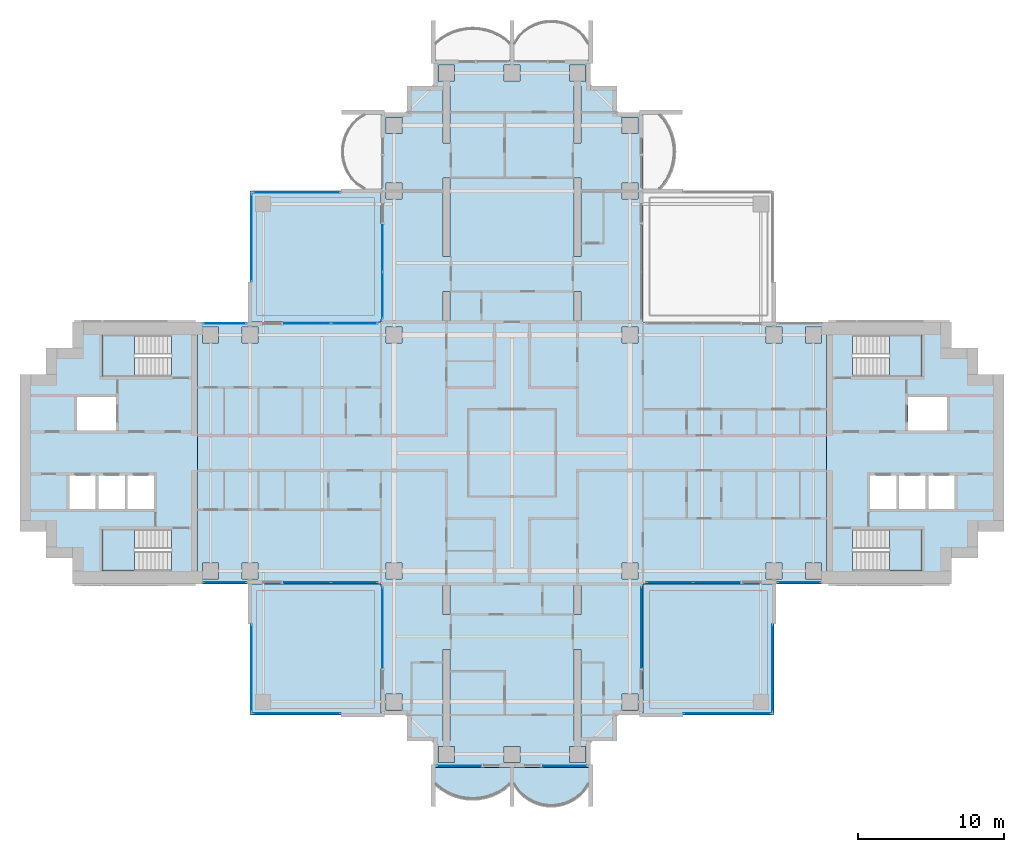
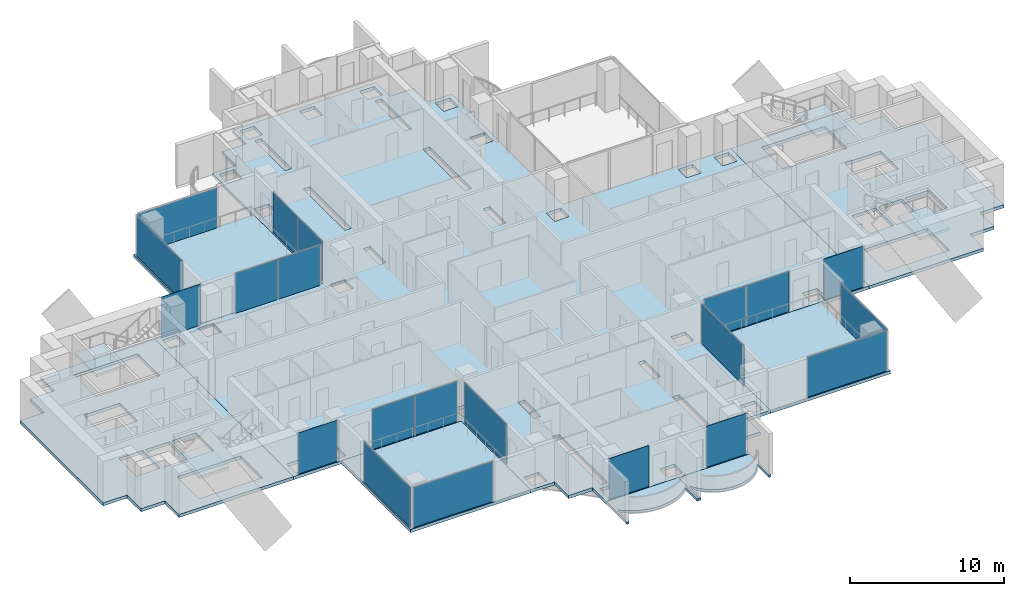
# One storey, part 7 of 19: 21 plates, 12 slabs, 21 elements without a shape of their own.
"""IFC4 building model written with IfcOpenShell, lengths in metres."""

from ifc_helpers import new_model, si_unit, direction, frame, origin, origin_2d, place, context, subcontext, project, spatial, polyline, rectangle, outline, extrude, material, layer, layer_set, type_object, element, aggregate, save


model = new_model("IFC4")

# Units and contexts
model_context = context("Model", 3, precision=1e-05, world=origin(), true_north=direction((0.0, 1.0)))
body_context = subcontext(model_context, "Body", "Model", "MODEL_VIEW")
ifc_project = project(units=[si_unit("LENGTHUNIT", "METRE"), si_unit("AREAUNIT", "SQUARE_METRE"), si_unit("VOLUMEUNIT", "CUBIC_METRE"), si_unit("PLANEANGLEUNIT", "RADIAN"), si_unit("MASSUNIT", "GRAM", prefix="KILO")], contexts=[model_context])

# Site, building, storey
site_placement = place(None, origin())
site = spatial("IfcSite", under=ifc_project, at=site_placement, CompositionType="ELEMENT")
building_placement = place(site_placement, origin())
building = spatial("IfcBuilding", under=site, at=building_placement, Name="Perihelion Cross Residences", CompositionType="ELEMENT")
storey_placement = place(building_placement, frame((0.0, 0.0, 137.39990234375)))
storey = spatial("IfcBuildingStorey", under=building, at=storey_placement, Name="L33", CompositionType="ELEMENT", Elevation=137.39990234375)

# Slabs
ifc_material_1 = material(Name="Concrete C40/50", Category="concrete")
ifc_layer_1 = layer(ifc_material_1, 0.199951171875)
ifc_layer_set_1 = layer_set([ifc_layer_1], Name="Balcony slab 200")
slab_type_1 = type_object("IfcSlabType", Name="Balcony slab 200", PredefinedType="FLOOR", material=ifc_layer_set_1)
slab_1_placement = place(storey_placement, frame((0.0, 0.0, -0.199951171875)))
element("IfcSlab", 1, at=slab_1_placement, inside=storey, type_object=slab_type_1, Name="Slab BK1 L33 south tip south bay 1 balcony", PredefinedType="FLOOR", context=body_context, shape_type="SweptSolid", body=[
    extrude(outline(polyline([(-5.39990234375, -21.60009765625), (0.0, -21.60009765625), (0.0, -24.300048828125), (-0.14990234375, -24.300048828125), (-0.14990234375, -22.800048828125), (-0.574951171875, -23.14013671875), (-1.0, -23.392578125), (-1.425048828125, -23.57666015625), (-1.85009765625, -23.702392578125), (-2.27490234375, -23.77587890625), (-2.699951171875, -23.800048828125), (-3.125, -23.77587890625), (-3.550048828125, -23.702392578125), (-3.97509765625, -23.57666015625), (-4.39990234375, -23.392578125), (-4.824951171875, -23.14013671875), (-5.25, -22.800048828125), (-5.25, -24.300048828125), (-5.39990234375, -24.300048828125), (-5.39990234375, -21.60009765625)])), origin(), (0.0, 0.0, 1.0), 0.199951171875),
])
slab_2_placement = place(storey_placement, frame((0.0, 0.0, -0.199951171875)))
element("IfcSlab", 2, at=slab_2_placement, inside=storey, type_object=slab_type_1, Name="Slab BK1 L33 south tip south bay 2 balcony", PredefinedType="FLOOR", context=body_context, shape_type="SweptSolid", body=[
    extrude(outline(polyline([(0.0, -21.60009765625), (5.39990234375, -21.60009765625), (5.39990234375, -24.300048828125), (5.25, -24.300048828125), (5.25, -22.800048828125), (4.909912109375, -23.27685546875), (4.570068359375, -23.60693359375), (4.22998046875, -23.84912109375), (3.889892578125, -24.027099609375), (3.550048828125, -24.1533203125), (3.2099609375, -24.234375), (2.8701171875, -24.274169921875), (2.530029296875, -24.274169921875), (2.18994140625, -24.234375), (1.85009765625, -24.1533203125), (1.510009765625, -24.027099609375), (1.169921875, -23.84912109375), (0.830078125, -23.60693359375), (0.489990234375, -23.27685546875), (0.14990234375, -22.800048828125), (0.14990234375, -24.300048828125), (0.0, -24.300048828125), (0.0, -21.60009765625)])), origin(), (0.0, 0.0, 1.0), 0.199951171875),
])

# Curtain wall, plates
ifc_material_2 = material(Name="Bronze anodised aluminium, tinted glazing", Category="aluminium")
curtain_wall_type_1 = type_object("IfcCurtainWallType", Name="CW1", PredefinedType="NOTDEFINED", material=ifc_material_2)
curtain_wall_1_placement = place(storey_placement, origin())
curtain_wall_1 = element("IfcCurtainWall", 3, at=curtain_wall_1_placement, inside=storey, type_object=curtain_wall_type_1, Name="Curtain wall CW1 L33 north side west bay 2", PredefinedType="NOTDEFINED")
ifc_material_3 = material(Name="Tinted laminated glass", Category="glass")
ifc_layer_2 = layer(ifc_material_3, 0.028076171875)
ifc_layer_set_2 = layer_set([ifc_layer_2], Name="CW1 panel")
plate_type_1 = type_object("IfcPlateType", Name="CW1 panel", PredefinedType="CURTAIN_PANEL", material=ifc_layer_set_2)
plate_1_placement = place(storey_placement, frame((-8.89990234375, 14.052490234375, 0.000244140625), z_axis=(0.0, 0.0, 1.0), x_axis=(0.0, -1.0, 0.0)))
plate_1 = element("IfcPlate", 4, at=plate_1_placement, type_object=plate_type_1, Name="CW1 panel 1", PredefinedType="CURTAIN_PANEL", context=body_context, shape_type="SweptSolid", body=[
    extrude(rectangle(XDim=3.195068359375, YDim=0.028076171875, at=origin_2d()), origin(), (0.0, 0.0, 1.0), 3.18994140625),
])
plate_2_placement = place(storey_placement, frame((-8.89990234375, 10.827392578125, 0.000244140625), z_axis=(0.0, 0.0, 1.0), x_axis=(0.0, -1.0, 0.0)))
plate_2 = element("IfcPlate", 5, at=plate_2_placement, type_object=plate_type_1, Name="CW1 panel 2", PredefinedType="CURTAIN_PANEL", context=body_context, shape_type="SweptSolid", body=[
    extrude(rectangle(XDim=3.135009765625, YDim=0.028076171875, at=origin_2d()), origin(), (0.0, 0.0, 1.0), 3.18994140625),
])
aggregate(curtain_wall_1, [plate_1, plate_2])

curtain_wall_2_placement = place(storey_placement, origin())
curtain_wall_2 = element("IfcCurtainWall", 6, at=curtain_wall_2_placement, inside=storey, type_object=curtain_wall_type_1, Name="Curtain wall CW1 L33 west side north bay 1", PredefinedType="NOTDEFINED")
plate_3_placement = place(storey_placement, frame((-10.827392578125, 8.89990234375, 0.000244140625), z_axis=(0.0, 0.0, 1.0), x_axis=(-1.0, 0.0, 0.0)))
plate_3 = element("IfcPlate", 7, at=plate_3_placement, type_object=plate_type_1, Name="CW1 panel 1", PredefinedType="CURTAIN_PANEL", context=body_context, shape_type="SweptSolid", body=[
    extrude(rectangle(XDim=3.135009765625, YDim=0.028076171875, at=origin_2d()), origin(), (0.0, 0.0, 1.0), 3.18994140625),
])
plate_4_placement = place(storey_placement, frame((-14.052490234375, 8.89990234375, 0.000244140625), z_axis=(0.0, 0.0, 1.0), x_axis=(-1.0, 0.0, 0.0)))
plate_4 = element("IfcPlate", 8, at=plate_4_placement, type_object=plate_type_1, Name="CW1 panel 2", PredefinedType="CURTAIN_PANEL", context=body_context, shape_type="SweptSolid", body=[
    extrude(rectangle(XDim=3.195068359375, YDim=0.028076171875, at=origin_2d()), origin(), (0.0, 0.0, 1.0), 3.18994140625),
])
aggregate(curtain_wall_2, [plate_3, plate_4])

# Curtain wall, plate
curtain_wall_3_placement = place(storey_placement, origin())
curtain_wall_3 = element("IfcCurtainWall", 9, at=curtain_wall_3_placement, inside=storey, type_object=curtain_wall_type_1, Name="Curtain wall CW1 L33 west side north bay 2", PredefinedType="NOTDEFINED")
plate_5_placement = place(storey_placement, frame((-19.72509765625, 8.89990234375, 0.0), z_axis=(0.0, 0.0, 1.0), x_axis=(-1.0, 0.0, 0.0)))
plate_5 = element("IfcPlate", 10, at=plate_5_placement, type_object=plate_type_1, Name="CW1 panel 1", PredefinedType="CURTAIN_PANEL", context=body_context, shape_type="SweptSolid", body=[
    extrude(rectangle(XDim=2.929931640625, YDim=0.028076171875, at=origin_2d()), origin(), (0.0, 0.0, 1.0), 3.25),
])
aggregate(curtain_wall_3, [plate_5])

curtain_wall_4_placement = place(storey_placement, origin())
curtain_wall_4 = element("IfcCurtainWall", 11, at=curtain_wall_4_placement, inside=storey, type_object=curtain_wall_type_1, Name="Curtain wall CW1 L33 west side south bay 1", PredefinedType="NOTDEFINED")
plate_6_placement = place(storey_placement, frame((-19.72509765625, -8.89990234375, 0.0), z_axis=(0.0, 0.0, 1.0), x_axis=(1.0, 0.0, 0.0)))
plate_6 = element("IfcPlate", 12, at=plate_6_placement, type_object=plate_type_1, Name="CW1 panel 1", PredefinedType="CURTAIN_PANEL", context=body_context, shape_type="SweptSolid", body=[
    extrude(rectangle(XDim=2.929931640625, YDim=0.028076171875, at=origin_2d()), origin(), (0.0, 0.0, 1.0), 3.25),
])
aggregate(curtain_wall_4, [plate_6])

# Curtain wall, plates
curtain_wall_5_placement = place(storey_placement, origin())
curtain_wall_5 = element("IfcCurtainWall", 13, at=curtain_wall_5_placement, inside=storey, type_object=curtain_wall_type_1, Name="Curtain wall CW1 L33 west side south bay 2", PredefinedType="NOTDEFINED")
plate_7_placement = place(storey_placement, frame((-14.052490234375, -8.89990234375, 0.000244140625), z_axis=(0.0, 0.0, 1.0), x_axis=(1.0, 0.0, 0.0)))
plate_7 = element("IfcPlate", 14, at=plate_7_placement, type_object=plate_type_1, Name="CW1 panel 1", PredefinedType="CURTAIN_PANEL", context=body_context, shape_type="SweptSolid", body=[
    extrude(rectangle(XDim=3.195068359375, YDim=0.028076171875, at=origin_2d()), origin(), (0.0, 0.0, 1.0), 3.18994140625),
])
plate_8_placement = place(storey_placement, frame((-10.827392578125, -8.89990234375, 0.000244140625), z_axis=(0.0, 0.0, 1.0), x_axis=(1.0, 0.0, 0.0)))
plate_8 = element("IfcPlate", 15, at=plate_8_placement, type_object=plate_type_1, Name="CW1 panel 2", PredefinedType="CURTAIN_PANEL", context=body_context, shape_type="SweptSolid", body=[
    extrude(rectangle(XDim=3.135009765625, YDim=0.028076171875, at=origin_2d()), origin(), (0.0, 0.0, 1.0), 3.18994140625),
])
aggregate(curtain_wall_5, [plate_7, plate_8])

# Curtain wall, plate
curtain_wall_6_placement = place(storey_placement, origin())
curtain_wall_6 = element("IfcCurtainWall", 16, at=curtain_wall_6_placement, inside=storey, type_object=curtain_wall_type_1, Name="Curtain wall CW1 L33 south side west bay 1", PredefinedType="NOTDEFINED")
plate_9_placement = place(storey_placement, frame((-8.89990234375, -12.0048828125, 0.000244140625), z_axis=(0.0, 0.0, 1.0), x_axis=(0.0, -1.0, 0.0)))
plate_9 = element("IfcPlate", 17, at=plate_9_placement, type_object=plate_type_1, Name="CW1 panel 1", PredefinedType="CURTAIN_PANEL", context=body_context, shape_type="SweptSolid", body=[
    extrude(rectangle(XDim=5.489990234375, YDim=0.028076171875, at=origin_2d()), origin(), (0.0, 0.0, 1.0), 3.18994140625),
])
aggregate(curtain_wall_6, [plate_9])

curtain_wall_7_placement = place(storey_placement, origin())
curtain_wall_7 = element("IfcCurtainWall", 18, at=curtain_wall_7_placement, inside=storey, type_object=curtain_wall_type_1, Name="Curtain wall CW1 L33 south tip south bay 1", PredefinedType="NOTDEFINED")
plate_10_placement = place(storey_placement, frame((-3.64501953125, -21.5, 0.0), z_axis=(0.0, 0.0, 1.0), x_axis=(1.0, 0.0, 0.0)))
plate_10 = element("IfcPlate", 19, at=plate_10_placement, type_object=plate_type_1, Name="CW1 panel 1", PredefinedType="CURTAIN_PANEL", context=body_context, shape_type="SweptSolid", body=[
    extrude(rectangle(XDim=2.989990234375, YDim=0.028076171875, at=origin_2d()), origin(), (0.0, 0.0, 1.0), 3.25),
])
aggregate(curtain_wall_7, [plate_10])

curtain_wall_8_placement = place(storey_placement, origin())
curtain_wall_8 = element("IfcCurtainWall", 20, at=curtain_wall_8_placement, inside=storey, type_object=curtain_wall_type_1, Name="Curtain wall CW1 L33 south tip south bay 2", PredefinedType="NOTDEFINED")
plate_11_placement = place(storey_placement, frame((3.64501953125, -21.5, 0.0), z_axis=(0.0, 0.0, 1.0), x_axis=(1.0, 0.0, 0.0)))
plate_11 = element("IfcPlate", 21, at=plate_11_placement, type_object=plate_type_1, Name="CW1 panel 1", PredefinedType="CURTAIN_PANEL", context=body_context, shape_type="SweptSolid", body=[
    extrude(rectangle(XDim=2.989990234375, YDim=0.028076171875, at=origin_2d()), origin(), (0.0, 0.0, 1.0), 3.25),
])
aggregate(curtain_wall_8, [plate_11])

curtain_wall_9_placement = place(storey_placement, origin())
curtain_wall_9 = element("IfcCurtainWall", 22, at=curtain_wall_9_placement, inside=storey, type_object=curtain_wall_type_1, Name="Curtain wall CW1 L33 south side east bay 1", PredefinedType="NOTDEFINED")
plate_12_placement = place(storey_placement, frame((8.89990234375, -12.0048828125, 0.000244140625), z_axis=(0.0, 0.0, 1.0), x_axis=(0.0, 1.0, 0.0)))
plate_12 = element("IfcPlate", 23, at=plate_12_placement, type_object=plate_type_1, Name="CW1 panel 1", PredefinedType="CURTAIN_PANEL", context=body_context, shape_type="SweptSolid", body=[
    extrude(rectangle(XDim=5.489990234375, YDim=0.028076171875, at=origin_2d()), origin(), (0.0, 0.0, 1.0), 3.18994140625),
])
aggregate(curtain_wall_9, [plate_12])

# Curtain wall, plates
curtain_wall_10_placement = place(storey_placement, origin())
curtain_wall_10 = element("IfcCurtainWall", 24, at=curtain_wall_10_placement, inside=storey, type_object=curtain_wall_type_1, Name="Curtain wall CW1 L33 east side south bay 1", PredefinedType="NOTDEFINED")
plate_13_placement = place(storey_placement, frame((10.827392578125, -8.89990234375, 0.000244140625), z_axis=(0.0, 0.0, 1.0), x_axis=(1.0, 0.0, 0.0)))
plate_13 = element("IfcPlate", 25, at=plate_13_placement, type_object=plate_type_1, Name="CW1 panel 1", PredefinedType="CURTAIN_PANEL", context=body_context, shape_type="SweptSolid", body=[
    extrude(rectangle(XDim=3.135009765625, YDim=0.028076171875, at=origin_2d()), origin(), (0.0, 0.0, 1.0), 3.18994140625),
])
plate_14_placement = place(storey_placement, frame((14.052490234375, -8.89990234375, 0.000244140625), z_axis=(0.0, 0.0, 1.0), x_axis=(1.0, 0.0, 0.0)))
plate_14 = element("IfcPlate", 26, at=plate_14_placement, type_object=plate_type_1, Name="CW1 panel 2", PredefinedType="CURTAIN_PANEL", context=body_context, shape_type="SweptSolid", body=[
    extrude(rectangle(XDim=3.195068359375, YDim=0.028076171875, at=origin_2d()), origin(), (0.0, 0.0, 1.0), 3.18994140625),
])
aggregate(curtain_wall_10, [plate_13, plate_14])

# Curtain wall, plate
curtain_wall_11_placement = place(storey_placement, origin())
curtain_wall_11 = element("IfcCurtainWall", 27, at=curtain_wall_11_placement, inside=storey, type_object=curtain_wall_type_1, Name="Curtain wall CW1 L33 east side south bay 2", PredefinedType="NOTDEFINED")
plate_15_placement = place(storey_placement, frame((19.72509765625, -8.89990234375, 0.0), z_axis=(0.0, 0.0, 1.0), x_axis=(1.0, 0.0, 0.0)))
plate_15 = element("IfcPlate", 28, at=plate_15_placement, type_object=plate_type_1, Name="CW1 panel 1", PredefinedType="CURTAIN_PANEL", context=body_context, shape_type="SweptSolid", body=[
    extrude(rectangle(XDim=2.929931640625, YDim=0.028076171875, at=origin_2d()), origin(), (0.0, 0.0, 1.0), 3.25),
])
aggregate(curtain_wall_11, [plate_15])

ifc_material_4 = material(Name="Bronze anodised aluminium, tinted glazing", Category="aluminium")
curtain_wall_type_2 = type_object("IfcCurtainWallType", Name="CW4", PredefinedType="NOTDEFINED", material=ifc_material_4)
curtain_wall_12_placement = place(storey_placement, origin())
curtain_wall_12 = element("IfcCurtainWall", 29, at=curtain_wall_12_placement, inside=storey, type_object=curtain_wall_type_2, Name="Curtain wall CW4 L33 pocket north-west 1 1", PredefinedType="NOTDEFINED")
ifc_material_5 = material(Name="Tinted laminated glass", Category="glass")
ifc_layer_3 = layer(ifc_material_5, 0.030029296875)
ifc_layer_set_3 = layer_set([ifc_layer_3], Name="CW4 panel")
plate_type_2 = type_object("IfcPlateType", Name="CW4 panel", PredefinedType="CURTAIN_PANEL", material=ifc_layer_set_3)
plate_16_placement = place(storey_placement, frame((-17.89990234375, 14.784912109375, 0.000244140625), z_axis=(0.0, 0.0, 1.0), x_axis=(0.0, 1.0, 0.0)))
plate_16 = element("IfcPlate", 30, at=plate_16_placement, type_object=plate_type_2, Name="CW4 panel 1", PredefinedType="CURTAIN_PANEL", context=body_context, shape_type="SweptSolid", body=[
    extrude(rectangle(XDim=5.969970703125, YDim=0.030029296875, at=origin_2d()), origin(), (0.0, 0.0, 1.0), 3.18994140625),
])
aggregate(curtain_wall_12, [plate_16])

curtain_wall_13_placement = place(storey_placement, origin())
curtain_wall_13 = element("IfcCurtainWall", 31, at=curtain_wall_13_placement, inside=storey, type_object=curtain_wall_type_2, Name="Curtain wall CW4 L33 pocket north-west 1 2", PredefinedType="NOTDEFINED")
plate_17_placement = place(storey_placement, frame((-14.784912109375, 17.89990234375, 0.000244140625), z_axis=(0.0, 0.0, 1.0), x_axis=(1.0, 0.0, 0.0)))
plate_17 = element("IfcPlate", 32, at=plate_17_placement, type_object=plate_type_2, Name="CW4 panel 1", PredefinedType="CURTAIN_PANEL", context=body_context, shape_type="SweptSolid", body=[
    extrude(rectangle(XDim=5.969970703125, YDim=0.030029296875, at=origin_2d()), origin(), (0.0, 0.0, 1.0), 3.18994140625),
])
aggregate(curtain_wall_13, [plate_17])

curtain_wall_14_placement = place(storey_placement, origin())
curtain_wall_14 = element("IfcCurtainWall", 33, at=curtain_wall_14_placement, inside=storey, type_object=curtain_wall_type_2, Name="Curtain wall CW4 L33 pocket south-east 1 1", PredefinedType="NOTDEFINED")
plate_18_placement = place(storey_placement, frame((17.89990234375, -14.784912109375, 0.000244140625), z_axis=(0.0, 0.0, 1.0), x_axis=(0.0, -1.0, 0.0)))
plate_18 = element("IfcPlate", 34, at=plate_18_placement, type_object=plate_type_2, Name="CW4 panel 1", PredefinedType="CURTAIN_PANEL", context=body_context, shape_type="SweptSolid", body=[
    extrude(rectangle(XDim=5.969970703125, YDim=0.030029296875, at=origin_2d()), origin(), (0.0, 0.0, 1.0), 3.18994140625),
])
aggregate(curtain_wall_14, [plate_18])

curtain_wall_15_placement = place(storey_placement, origin())
curtain_wall_15 = element("IfcCurtainWall", 35, at=curtain_wall_15_placement, inside=storey, type_object=curtain_wall_type_2, Name="Curtain wall CW4 L33 pocket south-east 1 2", PredefinedType="NOTDEFINED")
plate_19_placement = place(storey_placement, frame((14.784912109375, -17.89990234375, 0.000244140625), z_axis=(0.0, 0.0, 1.0), x_axis=(-1.0, 0.0, 0.0)))
plate_19 = element("IfcPlate", 36, at=plate_19_placement, type_object=plate_type_2, Name="CW4 panel 1", PredefinedType="CURTAIN_PANEL", context=body_context, shape_type="SweptSolid", body=[
    extrude(rectangle(XDim=5.969970703125, YDim=0.030029296875, at=origin_2d()), origin(), (0.0, 0.0, 1.0), 3.18994140625),
])
aggregate(curtain_wall_15, [plate_19])

curtain_wall_16_placement = place(storey_placement, origin())
curtain_wall_16 = element("IfcCurtainWall", 37, at=curtain_wall_16_placement, inside=storey, type_object=curtain_wall_type_2, Name="Curtain wall CW4 L33 pocket south-west 1 1", PredefinedType="NOTDEFINED")
plate_20_placement = place(storey_placement, frame((-14.784912109375, -17.89990234375, 0.000244140625), z_axis=(0.0, 0.0, 1.0), x_axis=(-1.0, 0.0, 0.0)))
plate_20 = element("IfcPlate", 38, at=plate_20_placement, type_object=plate_type_2, Name="CW4 panel 1", PredefinedType="CURTAIN_PANEL", context=body_context, shape_type="SweptSolid", body=[
    extrude(rectangle(XDim=5.969970703125, YDim=0.030029296875, at=origin_2d()), origin(), (0.0, 0.0, 1.0), 3.18994140625),
])
aggregate(curtain_wall_16, [plate_20])

curtain_wall_17_placement = place(storey_placement, origin())
curtain_wall_17 = element("IfcCurtainWall", 39, at=curtain_wall_17_placement, inside=storey, type_object=curtain_wall_type_2, Name="Curtain wall CW4 L33 pocket south-west 1 2", PredefinedType="NOTDEFINED")
plate_21_placement = place(storey_placement, frame((-17.89990234375, -14.784912109375, 0.000244140625), z_axis=(0.0, 0.0, 1.0), x_axis=(0.0, 1.0, 0.0)))
plate_21 = element("IfcPlate", 40, at=plate_21_placement, type_object=plate_type_2, Name="CW4 panel 1", PredefinedType="CURTAIN_PANEL", context=body_context, shape_type="SweptSolid", body=[
    extrude(rectangle(XDim=5.969970703125, YDim=0.030029296875, at=origin_2d()), origin(), (0.0, 0.0, 1.0), 3.18994140625),
])
aggregate(curtain_wall_17, [plate_21])

# Slabs
ifc_material_6 = material(Name="Concrete C40/50", Category="concrete")
ifc_layer_4 = layer(ifc_material_6, 0.25)
ifc_layer_set_4 = layer_set([ifc_layer_4], Name="Core floor slab 250")
slab_type_2 = type_object("IfcSlabType", Name="Core floor slab 250", PredefinedType="FLOOR", material=ifc_layer_set_4)
slab_3_placement = place(storey_placement, frame((0.0, 0.0, -0.25)))
element("IfcSlab", 41, at=slab_3_placement, inside=storey, type_object=slab_type_2, Name="East core floor slab", PredefinedType="FLOOR", context=body_context, shape_type="SweptSolid", body=[
    extrude(outline(polyline([(30.199951171875, 7.199951171875), (32.0, 7.199951171875), (32.0, 5.39990234375), (33.800048828125, 5.39990234375), (33.800048828125, -5.39990234375), (32.0, -5.39990234375), (32.0, -7.199951171875), (30.199951171875, -7.199951171875), (30.199951171875, -9.0), (21.60009765625, -9.0), (21.60009765625, 9.0), (30.199951171875, 9.0), (30.199951171875, 7.199951171875)]), holes=[polyline([(28.14990234375, -8.10009765625), (28.14990234375, -5.25), (23.405029296875, -5.25), (23.405029296875, -8.10009765625), (28.14990234375, -8.10009765625)]), polyline([(24.60009765625, -1.550048828125), (24.60009765625, -3.85009765625), (26.39990234375, -3.85009765625), (26.39990234375, -1.550048828125), (24.60009765625, -1.550048828125)]), polyline([(26.60009765625, -1.550048828125), (26.60009765625, -3.85009765625), (28.39990234375, -3.85009765625), (28.39990234375, -1.550048828125), (26.60009765625, -1.550048828125)]), polyline([(28.60009765625, -3.85009765625), (30.39990234375, -3.85009765625), (30.39990234375, -1.550048828125), (28.60009765625, -1.550048828125), (28.60009765625, -3.85009765625)]), polyline([(27.199951171875, 3.85009765625), (27.199951171875, 1.550048828125), (29.89990234375, 1.550048828125), (29.89990234375, 3.85009765625), (27.199951171875, 3.85009765625)]), polyline([(23.405029296875, 5.25), (28.14990234375, 5.25), (28.14990234375, 8.10009765625), (23.405029296875, 8.10009765625), (23.405029296875, 5.25)])]), origin(), (0.0, 0.0, 1.0), 0.25),
])
slab_4_placement = place(storey_placement, frame((0.0, 0.0, -0.25)))
element("IfcSlab", 42, at=slab_4_placement, inside=storey, type_object=slab_type_2, Name="West core floor slab", PredefinedType="FLOOR", context=body_context, shape_type="SweptSolid", body=[
    extrude(outline(polyline([(-30.199951171875, 7.199951171875), (-32.0, 7.199951171875), (-32.0, 5.39990234375), (-33.800048828125, 5.39990234375), (-33.800048828125, -5.39990234375), (-32.0, -5.39990234375), (-32.0, -7.199951171875), (-30.199951171875, -7.199951171875), (-30.199951171875, -9.0), (-21.60009765625, -9.0), (-21.60009765625, 9.0), (-30.199951171875, 9.0), (-30.199951171875, 7.199951171875)]), holes=[polyline([(-28.14990234375, -8.10009765625), (-28.14990234375, -5.25), (-23.405029296875, -5.25), (-23.405029296875, -8.10009765625), (-28.14990234375, -8.10009765625)]), polyline([(-24.60009765625, -1.550048828125), (-24.60009765625, -3.85009765625), (-26.39990234375, -3.85009765625), (-26.39990234375, -1.550048828125), (-24.60009765625, -1.550048828125)]), polyline([(-26.60009765625, -1.550048828125), (-26.60009765625, -3.85009765625), (-28.39990234375, -3.85009765625), (-28.39990234375, -1.550048828125), (-26.60009765625, -1.550048828125)]), polyline([(-28.60009765625, -3.85009765625), (-30.39990234375, -3.85009765625), (-30.39990234375, -1.550048828125), (-28.60009765625, -1.550048828125), (-28.60009765625, -3.85009765625)]), polyline([(-27.199951171875, 3.85009765625), (-27.199951171875, 1.550048828125), (-29.89990234375, 1.550048828125), (-29.89990234375, 3.85009765625), (-27.199951171875, 3.85009765625)]), polyline([(-23.405029296875, 5.25), (-28.14990234375, 5.25), (-28.14990234375, 8.10009765625), (-23.405029296875, 8.10009765625), (-23.405029296875, 5.25)])]), origin(), (0.0, 0.0, 1.0), 0.25),
])

# Stair, slab
ifc_material_7 = material(Name="Concrete C40/50", Category="concrete")
stair_type = type_object("IfcStairType", Name="Exit stair, half-turn", PredefinedType="HALF_TURN_STAIR", material=ifc_material_7)
stair_1_placement = place(storey_placement, origin())
stair_1 = element("IfcStair", 43, at=stair_1_placement, inside=storey, type_object=stair_type, Name="L33 East core exit stair 1", PredefinedType="HALF_TURN_STAIR")
ifc_material_8 = material(Name="Concrete C40/50", Category="concrete")
ifc_layer_5 = layer(ifc_material_8, 0.199951171875)
ifc_layer_set_5 = layer_set([ifc_layer_5], Name="Exit stair landing 200")
slab_type_3 = type_object("IfcSlabType", Name="Exit stair landing 200", PredefinedType="LANDING", material=ifc_layer_set_5)
slab_5_placement = place(storey_placement, frame((0.0, 0.0, 1.550048828125)))
slab_5 = element("IfcSlab", 44, at=slab_5_placement, type_object=slab_type_3, Name="ST-E1 landing 1", PredefinedType="LANDING", context=body_context, shape_type="SweptSolid", body=[
    extrude(outline(polyline([(25.919921875, 5.25), (28.14990234375, 5.25), (28.14990234375, 8.10009765625), (25.919921875, 8.10009765625), (25.919921875, 5.25)])), origin(), (0.0, 0.0, 1.0), 0.199951171875),
])
aggregate(stair_1, [slab_5])

stair_2_placement = place(storey_placement, origin())
stair_2 = element("IfcStair", 45, at=stair_2_placement, inside=storey, type_object=stair_type, Name="L33 East core exit stair 2", PredefinedType="HALF_TURN_STAIR")
slab_6_placement = place(storey_placement, frame((0.0, 0.0, 1.550048828125)))
slab_6 = element("IfcSlab", 46, at=slab_6_placement, type_object=slab_type_3, Name="ST-E2 landing 1", PredefinedType="LANDING", context=body_context, shape_type="SweptSolid", body=[
    extrude(outline(polyline([(25.919921875, -8.10009765625), (28.14990234375, -8.10009765625), (28.14990234375, -5.25), (25.919921875, -5.25), (25.919921875, -8.10009765625)])), origin(), (0.0, 0.0, 1.0), 0.199951171875),
])
aggregate(stair_2, [slab_6])

stair_3_placement = place(storey_placement, origin())
stair_3 = element("IfcStair", 47, at=stair_3_placement, inside=storey, type_object=stair_type, Name="L33 West core exit stair 1", PredefinedType="HALF_TURN_STAIR")
slab_7_placement = place(storey_placement, frame((0.0, 0.0, 1.550048828125)))
slab_7 = element("IfcSlab", 48, at=slab_7_placement, type_object=slab_type_3, Name="ST-W1 landing 1", PredefinedType="LANDING", context=body_context, shape_type="SweptSolid", body=[
    extrude(outline(polyline([(-25.919921875, 8.10009765625), (-28.14990234375, 8.10009765625), (-28.14990234375, 5.25), (-25.919921875, 5.25), (-25.919921875, 8.10009765625)])), origin(), (0.0, 0.0, 1.0), 0.199951171875),
])
aggregate(stair_3, [slab_7])

stair_4_placement = place(storey_placement, origin())
stair_4 = element("IfcStair", 49, at=stair_4_placement, inside=storey, type_object=stair_type, Name="L33 West core exit stair 2", PredefinedType="HALF_TURN_STAIR")
slab_8_placement = place(storey_placement, frame((0.0, 0.0, 1.550048828125)))
slab_8 = element("IfcSlab", 50, at=slab_8_placement, type_object=slab_type_3, Name="ST-W2 landing 1", PredefinedType="LANDING", context=body_context, shape_type="SweptSolid", body=[
    extrude(outline(polyline([(-25.919921875, -5.25), (-28.14990234375, -5.25), (-28.14990234375, -8.10009765625), (-25.919921875, -8.10009765625), (-25.919921875, -5.25)])), origin(), (0.0, 0.0, 1.0), 0.199951171875),
])
aggregate(stair_4, [slab_8])

# Slabs
ifc_material_9 = material(Name="Concrete C50/60", Category="concrete")
ifc_layer_6 = layer(ifc_material_9, 0.25)
ifc_layer_set_6 = layer_set([ifc_layer_6], Name="Residential floor post-tensioned slab concrete C50/60")
slab_type_4 = type_object("IfcSlabType", Name="Residential floor post-tensioned slab concrete C50/60", PredefinedType="FLOOR", material=ifc_layer_set_6)
slab_9_placement = place(storey_placement, frame((0.0, 0.0, -0.25)))
element("IfcSlab", 51, at=slab_9_placement, inside=storey, type_object=slab_type_4, Name="Slab SL8 L33 1 no. 1", PredefinedType="FLOOR", context=body_context, shape_type="SweptSolid", body=[
    extrude(outline(polyline([(-9.0, 9.0), (-9.0, 23.39990234375), (-7.199951171875, 23.39990234375), (-7.199951171875, 25.199951171875), (-5.39990234375, 25.199951171875), (-5.39990234375, 27.0), (5.39990234375, 27.0), (5.39990234375, 25.199951171875), (7.199951171875, 25.199951171875), (7.199951171875, 23.39990234375), (9.0, 23.39990234375), (9.0, 9.0), (21.60009765625, 9.0), (21.60009765625, -9.0), (9.0, -9.0), (9.0, -18.0), (7.199951171875, -18.0), (7.199951171875, -19.800048828125), (5.39990234375, -19.800048828125), (5.39990234375, -21.60009765625), (-5.39990234375, -21.60009765625), (-5.39990234375, -19.800048828125), (-7.199951171875, -19.800048828125), (-7.199951171875, -18.0), (-9.0, -18.0), (-9.0, -9.0), (-21.60009765625, -9.0), (-21.60009765625, 9.0), (-9.0, 9.0)]), holes=[polyline([(0.550048828125, -21.25), (0.550048828125, -20.14990234375), (-0.550048828125, -20.14990234375), (-0.550048828125, -21.25), (0.550048828125, -21.25)]), polyline([(-3.949951171875, -21.25), (-3.949951171875, -20.14990234375), (-5.050048828125, -20.14990234375), (-5.050048828125, -21.25), (-3.949951171875, -21.25)]), polyline([(-7.550048828125, -17.64990234375), (-7.550048828125, -16.550048828125), (-8.64990234375, -16.550048828125), (-8.64990234375, -17.64990234375), (-7.550048828125, -17.64990234375)]), polyline([(-4.25, -19.800048828125), (-4.25, -13.5), (-4.75, -13.5), (-4.75, -19.800048828125), (-4.25, -19.800048828125)]), polyline([(-4.25, -11.10009765625), (-4.25, -9.0), (-4.75, -9.0), (-4.75, -11.10009765625), (-4.25, -11.10009765625)]), polyline([(-20.14990234375, -8.64990234375), (-20.14990234375, -7.550048828125), (-21.25, -7.550048828125), (-21.25, -8.64990234375), (-20.14990234375, -8.64990234375)]), polyline([(-7.550048828125, -8.64990234375), (-7.550048828125, -7.550048828125), (-8.64990234375, -7.550048828125), (-8.64990234375, -8.64990234375), (-7.550048828125, -8.64990234375)]), polyline([(-18.550048828125, -8.64990234375), (-17.449951171875, -8.64990234375), (-17.449951171875, -7.550048828125), (-18.550048828125, -7.550048828125), (-18.550048828125, -8.64990234375)]), polyline([(-7.550048828125, 7.550048828125), (-7.550048828125, 8.64990234375), (-8.64990234375, 8.64990234375), (-8.64990234375, 7.550048828125), (-7.550048828125, 7.550048828125)]), polyline([(-17.449951171875, 7.550048828125), (-17.449951171875, 8.64990234375), (-18.550048828125, 8.64990234375), (-18.550048828125, 7.550048828125), (-17.449951171875, 7.550048828125)]), polyline([(-20.14990234375, 7.550048828125), (-20.14990234375, 8.64990234375), (-21.25, 8.64990234375), (-21.25, 7.550048828125), (-20.14990234375, 7.550048828125)]), polyline([(-4.25, 9.0), (-4.25, 11.10009765625), (-4.75, 11.10009765625), (-4.75, 9.0), (-4.25, 9.0)]), polyline([(-4.25, 13.5), (-4.25, 18.89990234375), (-4.75, 18.89990234375), (-4.75, 13.5), (-4.25, 13.5)]), polyline([(-7.550048828125, 17.449951171875), (-7.550048828125, 18.550048828125), (-8.64990234375, 18.550048828125), (-8.64990234375, 17.449951171875), (-7.550048828125, 17.449951171875)]), polyline([(-7.550048828125, 21.949951171875), (-7.550048828125, 23.050048828125), (-8.64990234375, 23.050048828125), (-8.64990234375, 21.949951171875), (-7.550048828125, 21.949951171875)]), polyline([(-4.75, 21.300048828125), (-4.25, 21.300048828125), (-4.25, 25.199951171875), (-4.75, 25.199951171875), (-4.75, 21.300048828125)]), polyline([(-5.050048828125, 25.550048828125), (-3.949951171875, 25.550048828125), (-3.949951171875, 26.64990234375), (-5.050048828125, 26.64990234375), (-5.050048828125, 25.550048828125)]), polyline([(5.050048828125, -21.25), (5.050048828125, -20.14990234375), (3.949951171875, -20.14990234375), (3.949951171875, -21.25), (5.050048828125, -21.25)]), polyline([(8.64990234375, -17.64990234375), (8.64990234375, -16.550048828125), (7.550048828125, -16.550048828125), (7.550048828125, -17.64990234375), (8.64990234375, -17.64990234375)]), polyline([(4.75, -19.800048828125), (4.75, -13.5), (4.25, -13.5), (4.25, -19.800048828125), (4.75, -19.800048828125)]), polyline([(4.75, -11.10009765625), (4.75, -9.0), (4.25, -9.0), (4.25, -11.10009765625), (4.75, -11.10009765625)]), polyline([(21.25, -8.64990234375), (21.25, -7.550048828125), (20.14990234375, -7.550048828125), (20.14990234375, -8.64990234375), (21.25, -8.64990234375)]), polyline([(18.550048828125, -8.64990234375), (18.550048828125, -7.550048828125), (17.449951171875, -7.550048828125), (17.449951171875, -8.64990234375), (18.550048828125, -8.64990234375)]), polyline([(8.64990234375, -8.64990234375), (8.64990234375, -7.550048828125), (7.550048828125, -7.550048828125), (7.550048828125, -8.64990234375), (8.64990234375, -8.64990234375)]), polyline([(7.550048828125, 7.550048828125), (8.64990234375, 7.550048828125), (8.64990234375, 8.64990234375), (7.550048828125, 8.64990234375), (7.550048828125, 7.550048828125)]), polyline([(18.550048828125, 7.550048828125), (18.550048828125, 8.64990234375), (17.449951171875, 8.64990234375), (17.449951171875, 7.550048828125), (18.550048828125, 7.550048828125)]), polyline([(21.25, 7.550048828125), (21.25, 8.64990234375), (20.14990234375, 8.64990234375), (20.14990234375, 7.550048828125), (21.25, 7.550048828125)]), polyline([(4.75, 9.0), (4.75, 11.10009765625), (4.25, 11.10009765625), (4.25, 9.0), (4.75, 9.0)]), polyline([(4.75, 13.5), (4.75, 18.89990234375), (4.25, 18.89990234375), (4.25, 13.5), (4.75, 13.5)]), polyline([(8.64990234375, 17.449951171875), (8.64990234375, 18.550048828125), (7.550048828125, 18.550048828125), (7.550048828125, 17.449951171875), (8.64990234375, 17.449951171875)]), polyline([(8.64990234375, 21.949951171875), (8.64990234375, 23.050048828125), (7.550048828125, 23.050048828125), (7.550048828125, 21.949951171875), (8.64990234375, 21.949951171875)]), polyline([(4.75, 21.300048828125), (4.75, 25.199951171875), (4.25, 25.199951171875), (4.25, 21.300048828125), (4.75, 21.300048828125)]), polyline([(3.949951171875, 25.550048828125), (5.050048828125, 25.550048828125), (5.050048828125, 26.64990234375), (3.949951171875, 26.64990234375), (3.949951171875, 25.550048828125)]), polyline([(-0.550048828125, 25.550048828125), (0.550048828125, 25.550048828125), (0.550048828125, 26.64990234375), (-0.550048828125, 26.64990234375), (-0.550048828125, 25.550048828125)])]), origin(), (0.0, 0.0, 1.0), 0.25),
])
ifc_material_10 = material(Name="Concrete C40/50", Category="concrete")
ifc_layer_7 = layer(ifc_material_10, 0.25)
ifc_layer_set_7 = layer_set([ifc_layer_7], Name="Winter garden slab")
slab_type_5 = type_object("IfcSlabType", Name="Winter garden slab", PredefinedType="FLOOR", material=ifc_layer_set_7)
slab_10_placement = place(storey_placement, frame((0.0, 0.0, -0.25)))
element("IfcSlab", 52, at=slab_10_placement, inside=storey, type_object=slab_type_5, Name="Slab BK3 L33 pocket north-west", PredefinedType="FLOOR", context=body_context, shape_type="SweptSolid", body=[
    extrude(outline(polyline([(-9.0, 9.0), (-9.0, 18.0), (-18.0, 18.0), (-18.0, 9.0), (-9.0, 9.0)])), origin(), (0.0, 0.0, 1.0), 0.25),
])
slab_11_placement = place(storey_placement, frame((0.0, 0.0, -0.25)))
element("IfcSlab", 53, at=slab_11_placement, inside=storey, type_object=slab_type_5, Name="Slab BK3 L33 pocket south-west", PredefinedType="FLOOR", context=body_context, shape_type="SweptSolid", body=[
    extrude(outline(polyline([(-9.0, -18.0), (-9.0, -9.0), (-18.0, -9.0), (-18.0, -18.0), (-9.0, -18.0)])), origin(), (0.0, 0.0, 1.0), 0.25),
])
slab_12_placement = place(storey_placement, frame((0.0, 0.0, -0.25)))
element("IfcSlab", 54, at=slab_12_placement, inside=storey, type_object=slab_type_5, Name="Slab BK3 L33 pocket south-east", PredefinedType="FLOOR", context=body_context, shape_type="SweptSolid", body=[
    extrude(outline(polyline([(18.0, -18.0), (18.0, -9.0), (9.0, -9.0), (9.0, -18.0), (18.0, -18.0)])), origin(), (0.0, 0.0, 1.0), 0.25),
])

save(model, "model.ifc")
